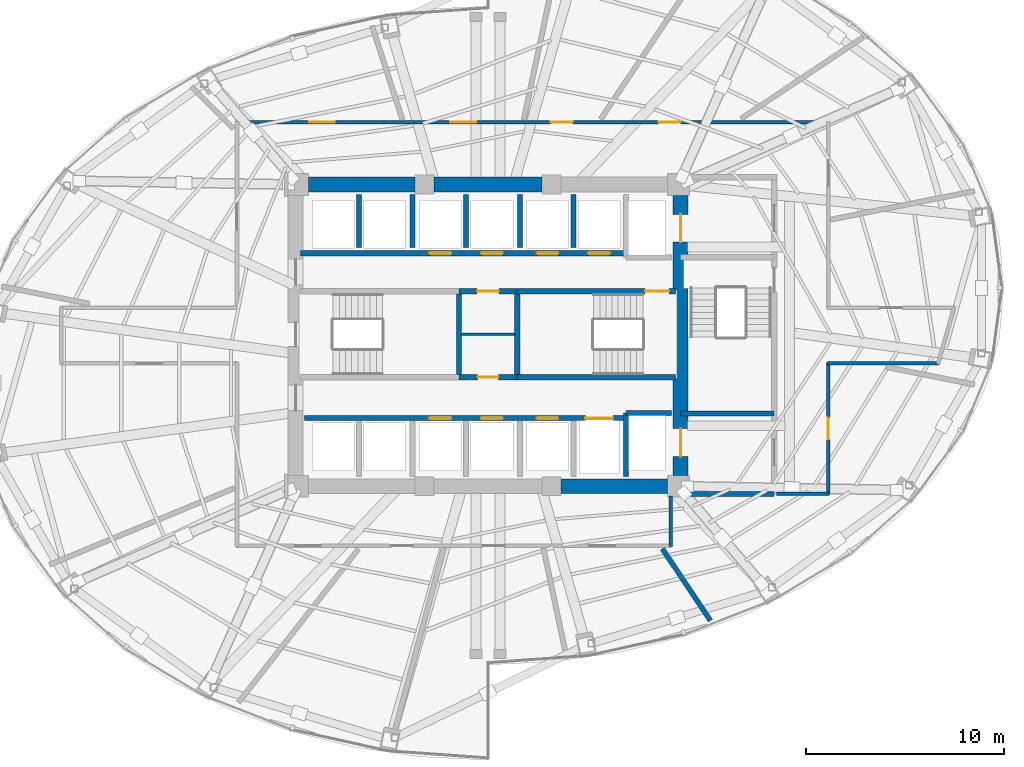
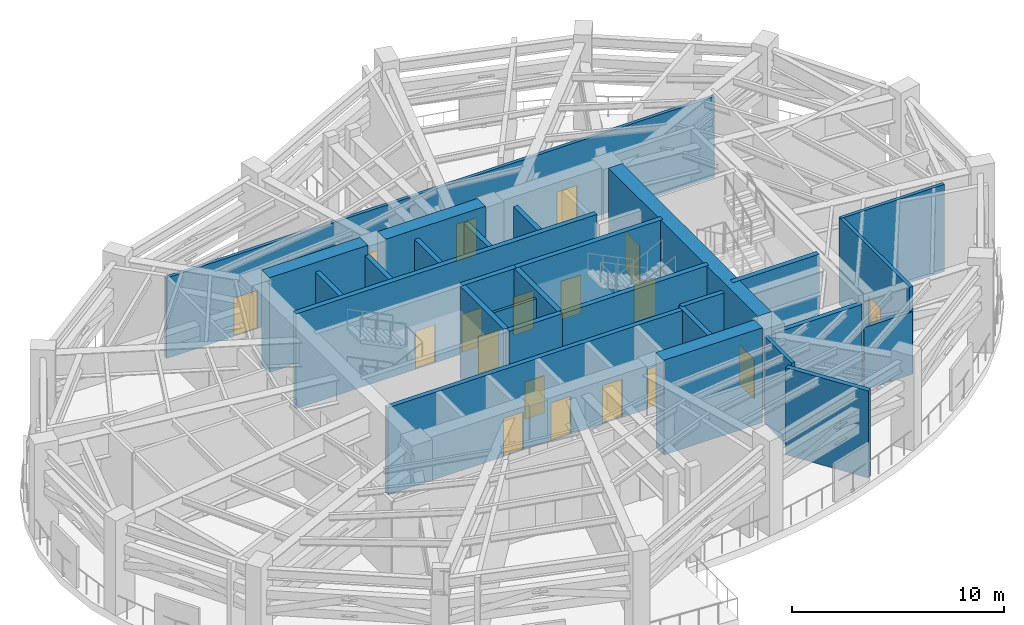
# One storey, part 8 of 12: 28 walls, 18 doors, 18 openings.
"""IFC4 building model written with IfcOpenShell, lengths in metres."""

from ifc_helpers import new_model, si_unit, direction, frame, frame_2d, origin, place, context, subcontext, project, spatial, rectangle, extrude, material, layer, layer_set, type_object, element, fill, save


model = new_model("IFC4")

# Units and contexts
model_context = context("Model", 3, precision=1e-05, world=origin(), true_north=direction((0.0, 1.0)))
body_context = subcontext(model_context, "Body", "Model", "MODEL_VIEW")
ifc_project = project(units=[si_unit("LENGTHUNIT", "METRE"), si_unit("AREAUNIT", "SQUARE_METRE"), si_unit("VOLUMEUNIT", "CUBIC_METRE"), si_unit("PLANEANGLEUNIT", "RADIAN"), si_unit("MASSUNIT", "GRAM", prefix="KILO")], contexts=[model_context])

# Site, building, storey
site_placement = place(None, origin())
site = spatial("IfcSite", under=ifc_project, at=site_placement, CompositionType="ELEMENT")
building_placement = place(site_placement, origin())
building = spatial("IfcBuilding", under=site, at=building_placement, Name="Lazwardi Medical Tower", CompositionType="ELEMENT")
storey_placement = place(building_placement, frame((0.0, 0.0, 132.81591796875)))
storey = spatial("IfcBuildingStorey", under=building, at=storey_placement, Name="L34", CompositionType="ELEMENT", Elevation=132.81591796875)

# Wall, openings, doors
ifc_material_1 = material(Name="Fire-rated gypsum board on steel stud", Category="steel")
ifc_layer_1 = layer(ifc_material_1, 0.179931640625)
ifc_layer_set_1 = layer_set([ifc_layer_1], Name="Fire-rated gypsum board on steel stud")
wall_type_1 = type_object("IfcWallType", Name="WL-COR-180", PredefinedType="PARTITIONING", material=ifc_layer_set_1)
wall_1_placement = place(storey_placement, frame((23.31005859375, 38.75, 0.0), z_axis=(0.0, 0.0, 1.0), x_axis=(1.0, 0.0, 0.0)))
wall_1 = element("IfcWall", 1, at=wall_1_placement, inside=storey, type_object=wall_type_1, Name="L34 Corridor partition 4", PredefinedType="PARTITIONING", context=body_context, shape_type="SweptSolid", body=[
    extrude(rectangle(XDim=29.8798828125, YDim=0.179931640625, at=frame_2d((14.93994140625, 0.0))), origin(), (0.0, 0.0, 1.0), 4.64697265625),
])
opening_1_placement = place(wall_1_placement, frame((21.289794921875, 0.0, 0.0)))
opening_1 = element("IfcOpeningElement", 2, at=opening_1_placement, cuts=wall_1, Name="Opening D-L34-015", PredefinedType="OPENING", context=body_context, shape_type="SweptSolid", body=[
    extrude(rectangle(XDim=1.10009765625, YDim=2.14990234375, at=frame_2d((0.550048828125, 1.074951171875))), frame((0.0, 0.099853515625, 0.0), z_axis=(0.0, -1.0, 0.0), x_axis=(1.0, 0.0, 0.0)), (0.0, 0.0, 1.0), 0.199951171875),
])
opening_2_placement = place(wall_1_placement, frame((15.851806640625, 0.0, 0.0)))
opening_2 = element("IfcOpeningElement", 3, at=opening_2_placement, cuts=wall_1, Name="Opening D-L34-016", PredefinedType="OPENING", context=body_context, shape_type="SweptSolid", body=[
    extrude(rectangle(XDim=1.10009765625, YDim=2.14990234375, at=frame_2d((0.550048828125, 1.074951171875))), frame((0.0, 0.099853515625, 0.0), z_axis=(0.0, -1.0, 0.0), x_axis=(1.0, 0.0, 0.0)), (0.0, 0.0, 1.0), 0.199951171875),
])
opening_3_placement = place(wall_1_placement, frame((10.78759765625, 0.0, 0.0)))
opening_3 = element("IfcOpeningElement", 4, at=opening_3_placement, cuts=wall_1, Name="Opening D-L34-017", PredefinedType="OPENING", context=body_context, shape_type="SweptSolid", body=[
    extrude(rectangle(XDim=1.300048828125, YDim=2.199951171875, at=frame_2d((0.64990234375, 1.10009765625))), frame((0.0, 0.099853515625, 0.0), z_axis=(0.0, -1.0, 0.0), x_axis=(1.0, 0.0, 0.0)), (0.0, 0.0, 1.0), 0.199951171875),
])
opening_4_placement = place(wall_1_placement, frame((3.673828125, 0.0, 0.0)))
opening_4 = element("IfcOpeningElement", 5, at=opening_4_placement, cuts=wall_1, Name="Opening D-L34-018", PredefinedType="OPENING", context=body_context, shape_type="SweptSolid", body=[
    extrude(rectangle(XDim=1.300048828125, YDim=2.199951171875, at=frame_2d((0.64990234375, 1.10009765625))), frame((0.0, 0.099853515625, 0.0), z_axis=(0.0, -1.0, 0.0), x_axis=(1.0, 0.0, 0.0)), (0.0, 0.0, 1.0), 0.199951171875),
])
ifc_material_2 = material(Name="Fire-rated steel leaf and frame", Category="steel")
door_type_1 = type_object("IfcDoorType", Name="DR-FFL-1300", OperationType="NOTDEFINED", PredefinedType="DOOR", material=ifc_material_2)
door_1_placement = place(opening_3_placement, origin())
door_1 = element("IfcDoor", 6, at=door_1_placement, inside=storey, type_object=door_type_1, Name="L34 Area of Refuge Door 11", OperationType="SINGLE_SWING_LEFT", OverallHeight=2.199951171875, OverallWidth=1.300048828125, PredefinedType="DOOR", context=body_context, shape_type="SweptSolid", body=[
    extrude(rectangle(XDim=1.300048828125, YDim=2.199951171875, at=frame_2d((0.64990234375, 1.10009765625))), frame((0.0, 0.02490234375, 0.0), z_axis=(0.0, -1.0, 0.0), x_axis=(1.0, 0.0, 0.0)), (0.0, 0.0, 1.0), 0.050048828125),
])
fill(opening_3, door_1)
door_2_placement = place(opening_4_placement, origin())
door_2 = element("IfcDoor", 7, at=door_2_placement, inside=storey, type_object=door_type_1, Name="L34 Area of Refuge Door 12", OperationType="SINGLE_SWING_RIGHT", OverallHeight=2.199951171875, OverallWidth=1.300048828125, PredefinedType="DOOR", context=body_context, shape_type="SweptSolid", body=[
    extrude(rectangle(XDim=1.300048828125, YDim=2.199951171875, at=frame_2d((0.64990234375, 1.10009765625))), frame((0.0, 0.02490234375, 0.0), z_axis=(0.0, -1.0, 0.0), x_axis=(1.0, 0.0, 0.0)), (0.0, 0.0, 1.0), 0.050048828125),
])
fill(opening_4, door_2)
door_type_2 = type_object("IfcDoorType", Name="DR-PLT-1100", OperationType="NOTDEFINED", PredefinedType="DOOR", material=ifc_material_2)
door_3_placement = place(opening_1_placement, origin())
door_3 = element("IfcDoor", 8, at=door_3_placement, inside=storey, type_object=door_type_2, Name="L34 Medical Gas Plant Room Door 09", OperationType="SINGLE_SWING_LEFT", OverallHeight=2.14990234375, OverallWidth=1.10009765625, PredefinedType="DOOR", context=body_context, shape_type="SweptSolid", body=[
    extrude(rectangle(XDim=1.10009765625, YDim=2.14990234375, at=frame_2d((0.550048828125, 1.074951171875))), frame((0.0, 0.02490234375, 0.0), z_axis=(0.0, -1.0, 0.0), x_axis=(1.0, 0.0, 0.0)), (0.0, 0.0, 1.0), 0.050048828125),
])
fill(opening_1, door_3)
door_4_placement = place(opening_2_placement, origin())
door_4 = element("IfcDoor", 9, at=door_4_placement, inside=storey, type_object=door_type_2, Name="L34 Water Tank Plant Room Door 10", OperationType="SINGLE_SWING_RIGHT", OverallHeight=2.14990234375, OverallWidth=1.10009765625, PredefinedType="DOOR", context=body_context, shape_type="SweptSolid", body=[
    extrude(rectangle(XDim=1.10009765625, YDim=2.14990234375, at=frame_2d((0.550048828125, 1.074951171875))), frame((0.0, 0.02490234375, 0.0), z_axis=(0.0, -1.0, 0.0), x_axis=(1.0, 0.0, 0.0)), (0.0, 0.0, 1.0), 0.050048828125),
])
fill(opening_2, door_4)

# Wall
wall_2_placement = place(storey_placement, frame((58.727294921875, 26.60009765625, 0.0), z_axis=(0.0, 0.0, 1.0), x_axis=(-1.0, 0.0, 0.0)))
element("IfcWall", 10, at=wall_2_placement, inside=storey, type_object=wall_type_1, Name="L34 Corridor partition 8", PredefinedType="PARTITIONING", context=body_context, shape_type="SweptSolid", body=[
    extrude(rectangle(XDim=5.6171875, YDim=0.179931640625, at=frame_2d((2.80859375, 0.0))), origin(), (0.0, 0.0, 1.0), 5.02197265625),
])

# Wall, opening, door
wall_3_placement = place(storey_placement, frame((53.14990234375, 26.639892578125, 0.0), z_axis=(0.0, 0.0, 1.0), x_axis=(0.0, -1.0, 0.0)))
wall_3 = element("IfcWall", 11, at=wall_3_placement, inside=storey, type_object=wall_type_1, Name="L34 Corridor partition 9", PredefinedType="PARTITIONING", context=body_context, shape_type="SweptSolid", body=[
    extrude(rectangle(XDim=6.659912109375, YDim=0.179931640625, at=frame_2d((3.330078125, 0.0))), origin(), (0.0, 0.0, 1.0), 5.02197265625),
])
opening_5_placement = place(wall_3_placement, frame((2.780029296875, 0.0, 0.0)))
opening_5 = element("IfcOpeningElement", 12, at=opening_5_placement, cuts=wall_3, Name="Opening D-L34-012", PredefinedType="OPENING", context=body_context, shape_type="SweptSolid", body=[
    extrude(rectangle(XDim=1.10009765625, YDim=2.14990234375, at=frame_2d((0.550048828125, 1.074951171875))), frame((0.0, 0.099853515625, 0.0), z_axis=(0.0, -1.0, 0.0), x_axis=(1.0, 0.0, 0.0)), (0.0, 0.0, 1.0), 0.199951171875),
])
door_5_placement = place(opening_5_placement, origin())
door_5 = element("IfcDoor", 13, at=door_5_placement, inside=storey, type_object=door_type_2, Name="L34 Pump Room Door 06", OperationType="SINGLE_SWING_RIGHT", OverallHeight=2.14990234375, OverallWidth=1.10009765625, PredefinedType="DOOR", context=body_context, shape_type="SweptSolid", body=[
    extrude(rectangle(XDim=1.10009765625, YDim=2.14990234375, at=frame_2d((0.550048828125, 1.074951171875))), frame((0.0, 0.02490234375, 0.0), z_axis=(0.0, -1.0, 0.0), x_axis=(1.0, 0.0, 0.0)), (0.0, 0.0, 1.0), 0.050048828125),
])
fill(opening_5, door_5)

# Walls
wall_4_placement = place(storey_placement, frame((53.18994140625, 20.02001953125, 0.0), z_axis=(0.0, 0.0, 1.0), x_axis=(-1.0, 0.0, 0.0)))
element("IfcWall", 14, at=wall_4_placement, inside=storey, type_object=wall_type_1, Name="L34 Corridor partition 10", PredefinedType="PARTITIONING", context=body_context, shape_type="SweptSolid", body=[
    extrude(rectangle(XDim=2.64990234375, YDim=0.179931640625, at=frame_2d((1.324951171875, 0.0))), origin(), (0.0, 0.0, 1.0), 3.607177734375),
])
wall_5_placement = place(storey_placement, frame((45.199951171875, 19.909912109375, 0.0), z_axis=(0.0, 0.0, 1.0), x_axis=(0.0, -1.0, 0.0)))
element("IfcWall", 15, at=wall_5_placement, inside=storey, type_object=wall_type_1, Name="L34 Corridor partition 13", PredefinedType="PARTITIONING", context=body_context, shape_type="SweptSolid", body=[
    extrude(rectangle(XDim=2.5498046875, YDim=0.179931640625, at=frame_2d((1.27490234375, 0.0))), origin(), (0.0, 0.0, 1.0), 5.02197265625),
])

# Wall, openings, doors
ifc_material_3 = material(Name="Concrete C70/85", Category="concrete")
ifc_layer_2 = layer(ifc_material_3, 0.75)
ifc_layer_set_2 = layer_set([ifc_layer_2], Name="Concrete C70/85")
wall_type_2 = type_object("IfcWallType", Name="WL-CORE-750", PredefinedType="SHEAR", material=ifc_layer_set_2)
wall_6_placement = place(storey_placement, frame((45.699951171875, 20.949951171875, 0.0), z_axis=(0.0, 0.0, 1.0), x_axis=(0.0, 1.0, 0.0)))
wall_6 = element("IfcWall", 16, at=wall_6_placement, inside=storey, type_object=wall_type_2, Name="Core wall CW-S2 east L34", PredefinedType="SHEAR", context=body_context, shape_type="SweptSolid", body=[
    extrude(rectangle(XDim=14.10009765625, YDim=0.75, at=frame_2d((7.050048828125, 0.0))), origin(), (0.0, 0.0, 1.0), 5.47216796875),
])
opening_6_placement = place(wall_6_placement, frame((11.75, 0.0, 0.0)))
opening_6 = element("IfcOpeningElement", 17, at=opening_6_placement, cuts=wall_6, Name="Opening LD-L34-001", PredefinedType="OPENING", context=body_context, shape_type="SweptSolid", body=[
    extrude(rectangle(XDim=1.39990234375, YDim=2.300048828125, at=frame_2d((0.699951171875, 1.14990234375))), frame((0.0, 0.385009765625, 0.0), z_axis=(0.0, -1.0, 0.0), x_axis=(1.0, 0.0, 0.0)), (0.0, 0.0, 1.0), 0.77001953125),
])
opening_7_placement = place(wall_6_placement, frame((0.949951171875, 0.0, 0.0)))
opening_7 = element("IfcOpeningElement", 18, at=opening_7_placement, cuts=wall_6, Name="Opening LD-L34-002", PredefinedType="OPENING", context=body_context, shape_type="SweptSolid", body=[
    extrude(rectangle(XDim=1.39990234375, YDim=2.300048828125, at=frame_2d((0.699951171875, 1.14990234375))), frame((0.0, 0.385009765625, 0.0), z_axis=(0.0, -1.0, 0.0), x_axis=(1.0, 0.0, 0.0)), (0.0, 0.0, 1.0), 0.77001953125),
])
ifc_material_4 = material(Name="Brushed stainless steel bed-lift landing door", Category="steel")
door_type_3 = type_object("IfcDoorType", Name="DR-LFT-1400", OperationType="NOTDEFINED", PredefinedType="DOOR", material=ifc_material_4)
door_6_placement = place(opening_6_placement, origin())
door_6 = element("IfcDoor", 19, at=door_6_placement, inside=storey, type_object=door_type_3, Name="L34 Lift Landing Door FL-01", OperationType="SLIDING_TO_LEFT", OverallHeight=2.300048828125, OverallWidth=1.39990234375, PredefinedType="DOOR", context=body_context, shape_type="SweptSolid", body=[
    extrude(rectangle(XDim=1.39990234375, YDim=2.300048828125, at=frame_2d((0.699951171875, 1.14990234375))), frame((0.0, 0.02490234375, 0.0), z_axis=(0.0, -1.0, 0.0), x_axis=(1.0, 0.0, 0.0)), (0.0, 0.0, 1.0), 0.050048828125),
])
fill(opening_6, door_6)
door_7_placement = place(opening_7_placement, origin())
door_7 = element("IfcDoor", 20, at=door_7_placement, inside=storey, type_object=door_type_3, Name="L34 Lift Landing Door FL-02", OperationType="SLIDING_TO_LEFT", OverallHeight=2.300048828125, OverallWidth=1.39990234375, PredefinedType="DOOR", context=body_context, shape_type="SweptSolid", body=[
    extrude(rectangle(XDim=1.39990234375, YDim=2.300048828125, at=frame_2d((0.699951171875, 1.14990234375))), frame((0.0, 0.02490234375, 0.0), z_axis=(0.0, -1.0, 0.0), x_axis=(1.0, 0.0, 0.0)), (0.0, 0.0, 1.0), 0.050048828125),
])
fill(opening_7, door_7)

# Walls
wall_7_placement = place(storey_placement, frame((26.949951171875, 35.60009765625, 0.0), z_axis=(0.0, 0.0, 1.0), x_axis=(1.0, 0.0, 0.0)))
element("IfcWall", 21, at=wall_7_placement, inside=storey, type_object=wall_type_2, Name="Core wall CW-S2 N1 L34", PredefinedType="SHEAR", context=body_context, shape_type="SweptSolid", body=[
    extrude(rectangle(XDim=5.375, YDim=0.75, at=frame_2d((2.6875, 0.0))), origin(), (0.0, 0.0, 1.0), 5.47216796875),
])
wall_8_placement = place(storey_placement, frame((33.27490234375, 35.60009765625, 0.0), z_axis=(0.0, 0.0, 1.0), x_axis=(1.0, 0.0, 0.0)))
element("IfcWall", 22, at=wall_8_placement, inside=storey, type_object=wall_type_2, Name="Core wall CW-S2 N2 L34", PredefinedType="SHEAR", context=body_context, shape_type="SweptSolid", body=[
    extrude(rectangle(XDim=5.4501953125, YDim=0.75, at=frame_2d((2.72509765625, 0.0))), origin(), (0.0, 0.0, 1.0), 5.47216796875),
])
wall_9_placement = place(storey_placement, frame((39.675048828125, 20.39990234375, 0.0), z_axis=(0.0, 0.0, 1.0), x_axis=(1.0, 0.0, 0.0)))
element("IfcWall", 23, at=wall_9_placement, inside=storey, type_object=wall_type_2, Name="Core wall CW-S2 S3 L34", PredefinedType="SHEAR", context=body_context, shape_type="SweptSolid", body=[
    extrude(rectangle(XDim=5.375, YDim=0.75, at=frame_2d((2.6875, 0.0))), origin(), (0.0, 0.0, 1.0), 5.47216796875),
])

# Wall, openings, doors
ifc_material_5 = material(Name="Autoclaved aerated concrete blockwork", Category="masonry")
ifc_layer_3 = layer(ifc_material_5, 0.25)
ifc_layer_set_3 = layer_set([ifc_layer_3], Name="Autoclaved aerated concrete blockwork")
wall_type_3 = type_object("IfcWallType", Name="WL-SHAFT-250", PredefinedType="SOLIDWALL", material=ifc_layer_set_3)
wall_10_placement = place(storey_placement, frame((26.75, 23.830078125, 0.0), z_axis=(0.0, 0.0, 1.0), x_axis=(1.0, 0.0, 0.0)))
wall_10 = element("IfcWall", 24, at=wall_10_placement, inside=storey, type_object=wall_type_3, Name="L34 South lift bank front wall", PredefinedType="SOLIDWALL", context=body_context, shape_type="SweptSolid", body=[
    extrude(rectangle(XDim=16.199951171875, YDim=0.25, at=frame_2d((8.10009765625, 0.0))), origin(), (0.0, 0.0, 1.0), 5.02197265625),
])
opening_8_placement = place(wall_10_placement, frame((6.300048828125, 0.0, 0.0)))
opening_8 = element("IfcOpeningElement", 25, at=opening_8_placement, cuts=wall_10, Name="Opening LD-L34-006", PredefinedType="OPENING", context=body_context, shape_type="SweptSolid", body=[
    extrude(rectangle(XDim=1.10009765625, YDim=2.199951171875, at=frame_2d((0.550048828125, 1.10009765625))), frame((0.0, 0.135009765625, 0.0), z_axis=(0.0, -1.0, 0.0), x_axis=(1.0, 0.0, 0.0)), (0.0, 0.0, 1.0), 0.27001953125),
])
opening_9_placement = place(wall_10_placement, frame((8.89990234375, 0.0, 0.0)))
opening_9 = element("IfcOpeningElement", 26, at=opening_9_placement, cuts=wall_10, Name="Opening LD-L34-007", PredefinedType="OPENING", context=body_context, shape_type="SweptSolid", body=[
    extrude(rectangle(XDim=1.10009765625, YDim=2.199951171875, at=frame_2d((0.550048828125, 1.10009765625))), frame((0.0, 0.135009765625, 0.0), z_axis=(0.0, -1.0, 0.0), x_axis=(1.0, 0.0, 0.0)), (0.0, 0.0, 1.0), 0.27001953125),
])
opening_10_placement = place(wall_10_placement, frame((11.699951171875, 0.0, 0.0)))
opening_10 = element("IfcOpeningElement", 27, at=opening_10_placement, cuts=wall_10, Name="Opening LD-L34-010", PredefinedType="OPENING", context=body_context, shape_type="SweptSolid", body=[
    extrude(rectangle(XDim=1.10009765625, YDim=2.199951171875, at=frame_2d((0.550048828125, 1.10009765625))), frame((0.0, 0.135009765625, 0.0), z_axis=(0.0, -1.0, 0.0), x_axis=(1.0, 0.0, 0.0)), (0.0, 0.0, 1.0), 0.27001953125),
])
opening_11_placement = place(wall_10_placement, frame((14.14990234375, 0.0, 0.0)))
opening_11 = element("IfcOpeningElement", 28, at=opening_11_placement, cuts=wall_10, Name="Opening LD-L34-003", PredefinedType="OPENING", context=body_context, shape_type="SweptSolid", body=[
    extrude(rectangle(XDim=1.39990234375, YDim=2.300048828125, at=frame_2d((0.699951171875, 1.14990234375))), frame((0.0, 0.135009765625, 0.0), z_axis=(0.0, -1.0, 0.0), x_axis=(1.0, 0.0, 0.0)), (0.0, 0.0, 1.0), 0.27001953125),
])
ifc_material_6 = material(Name="Brushed bronze stainless steel landing door", Category="steel")
door_type_4 = type_object("IfcDoorType", Name="DR-LFT-1100", OperationType="NOTDEFINED", PredefinedType="DOOR", material=ifc_material_6)
door_8_placement = place(opening_8_placement, origin())
door_8 = element("IfcDoor", 29, at=door_8_placement, inside=storey, type_object=door_type_4, Name="L34 Lift Landing Door PL-07", OperationType="SLIDING_TO_LEFT", OverallHeight=2.199951171875, OverallWidth=1.10009765625, PredefinedType="DOOR", context=body_context, shape_type="SweptSolid", body=[
    extrude(rectangle(XDim=1.10009765625, YDim=2.199951171875, at=frame_2d((0.550048828125, 1.10009765625))), frame((0.0, 0.02490234375, 0.0), z_axis=(0.0, -1.0, 0.0), x_axis=(1.0, 0.0, 0.0)), (0.0, 0.0, 1.0), 0.050048828125),
])
fill(opening_8, door_8)
door_9_placement = place(opening_9_placement, origin())
door_9 = element("IfcDoor", 30, at=door_9_placement, inside=storey, type_object=door_type_4, Name="L34 Lift Landing Door PL-08", OperationType="SLIDING_TO_LEFT", OverallHeight=2.199951171875, OverallWidth=1.10009765625, PredefinedType="DOOR", context=body_context, shape_type="SweptSolid", body=[
    extrude(rectangle(XDim=1.10009765625, YDim=2.199951171875, at=frame_2d((0.550048828125, 1.10009765625))), frame((0.0, 0.02490234375, 0.0), z_axis=(0.0, -1.0, 0.0), x_axis=(1.0, 0.0, 0.0)), (0.0, 0.0, 1.0), 0.050048828125),
])
fill(opening_9, door_9)
door_10_placement = place(opening_10_placement, origin())
door_10 = element("IfcDoor", 31, at=door_10_placement, inside=storey, type_object=door_type_4, Name="L34 Lift Landing Door PL-11", OperationType="SLIDING_TO_LEFT", OverallHeight=2.199951171875, OverallWidth=1.10009765625, PredefinedType="DOOR", context=body_context, shape_type="SweptSolid", body=[
    extrude(rectangle(XDim=1.10009765625, YDim=2.199951171875, at=frame_2d((0.550048828125, 1.10009765625))), frame((0.0, 0.02490234375, 0.0), z_axis=(0.0, -1.0, 0.0), x_axis=(1.0, 0.0, 0.0)), (0.0, 0.0, 1.0), 0.050048828125),
])
fill(opening_10, door_10)
door_11_placement = place(opening_11_placement, origin())
door_11 = element("IfcDoor", 32, at=door_11_placement, inside=storey, type_object=door_type_3, Name="L34 Lift Landing Door FL-03", OperationType="SLIDING_TO_LEFT", OverallHeight=2.300048828125, OverallWidth=1.39990234375, PredefinedType="DOOR", context=body_context, shape_type="SweptSolid", body=[
    extrude(rectangle(XDim=1.39990234375, YDim=2.300048828125, at=frame_2d((0.699951171875, 1.14990234375))), frame((0.0, 0.02490234375, 0.0), z_axis=(0.0, -1.0, 0.0), x_axis=(1.0, 0.0, 0.0)), (0.0, 0.0, 1.0), 0.050048828125),
])
fill(opening_11, door_11)

# Walls
wall_11_placement = place(storey_placement, frame((42.949951171875, 20.89990234375, 0.0), z_axis=(0.0, 0.0, 1.0), x_axis=(0.0, 1.0, 0.0)))
element("IfcWall", 33, at=wall_11_placement, inside=storey, type_object=wall_type_3, Name="L34 FL-02 West shaft wall", PredefinedType="SOLIDWALL", context=body_context, shape_type="SweptSolid", body=[
    extrude(rectangle(XDim=3.2001953125, YDim=0.25, at=frame_2d((1.60009765625, 0.0))), origin(), (0.0, 0.0, 1.0), 5.02197265625),
])
wall_12_placement = place(storey_placement, frame((42.949951171875, 24.10009765625, 0.0), z_axis=(0.0, 0.0, 1.0), x_axis=(1.0, 0.0, 0.0)))
element("IfcWall", 34, at=wall_12_placement, inside=storey, type_object=wall_type_3, Name="L34 FL-02 North shaft wall", PredefinedType="SOLIDWALL", context=body_context, shape_type="SweptSolid", body=[
    extrude(rectangle(XDim=2.300048828125, YDim=0.25, at=frame_2d((1.14990234375, 0.0))), origin(), (0.0, 0.0, 1.0), 5.02197265625),
])
for number, where, z_axis, x_axis, name in (
    (35, (29.5, 32.419921875, 0.0), (0.0, 0.0, 1.0), (0.0, 1.0, 0.0), "L34 North hoistway divider"),
    (36, (32.199951171875, 32.419921875, 0.0), (0.0, 0.0, 1.0), (0.0, 1.0, 0.0), "L34 North hoistway divider"),
    (37, (34.89990234375, 32.419921875, 0.0), (0.0, 0.0, 1.0), (0.0, 1.0, 0.0), "L34 North hoistway divider"),
    (38, (37.60009765625, 32.419921875, 0.0), (0.0, 0.0, 1.0), (0.0, 1.0, 0.0), "L34 North hoistway divider"),
    (39, (40.300048828125, 32.419921875, 0.0), (0.0, 0.0, 1.0), (0.0, 1.0, 0.0), "L34 North hoistway divider"),
):
    element("IfcWall", number, at=place(storey_placement, frame(where, z_axis=z_axis, x_axis=x_axis)), inside=storey, type_object=wall_type_3, Name=name, PredefinedType="SOLIDWALL", context=body_context, shape_type="SweptSolid", body=[
        extrude(rectangle(XDim=2.68017578125, YDim=0.25, at=frame_2d((1.340087890625, 0.0))), origin(), (0.0, 0.0, 1.0), 5.02197265625),
    ])
wall_13_placement = place(storey_placement, frame((45.699951171875, 20.02001953125, 0.0), z_axis=(0.0, 0.0, 1.0), x_axis=(1.0, 0.0, 0.0)))
element("IfcWall", 40, at=wall_13_placement, inside=storey, type_object=wall_type_3, Name="L34 FFL-S South wall", PredefinedType="SOLIDWALL", context=body_context, shape_type="SweptSolid", body=[
    extrude(rectangle(XDim=4.715087890625, YDim=0.25, at=frame_2d((2.357421875, 0.0))), origin(), (0.0, 0.0, 1.0), 5.02197265625),
])
wall_14_placement = place(storey_placement, frame((44.7841796875, 17.25341796875, 0.0), z_axis=(0.0, 0.0, 1.0), x_axis=(0.555553222681, -0.831480977996, 0.0)))
element("IfcWall", 41, at=wall_14_placement, inside=storey, type_object=wall_type_3, Name="L34 Room partition 2", PredefinedType="SOLIDWALL", context=body_context, shape_type="SweptSolid", body=[
    extrude(rectangle(XDim=4.357666015625, YDim=0.25, at=frame_2d((2.1787109375, 0.0))), origin(), (0.0, 0.0, 1.0), 5.02197265625),
])

# Wall, opening, door
ifc_material_7 = material(Name="Concrete C50/60", Category="concrete")
ifc_layer_4 = layer(ifc_material_7, 0.27001953125)
ifc_layer_set_4 = layer_set([ifc_layer_4], Name="Concrete C50/60")
wall_type_4 = type_object("IfcWallType", Name="WL-STR-250", PredefinedType="SHEAR", material=ifc_layer_set_4)
wall_15_placement = place(storey_placement, frame((34.534912109375, 30.235107421875, 0.0), z_axis=(0.0, 0.0, 1.0), x_axis=(1.0, 0.0, 0.0)))
wall_15 = element("IfcWall", 42, at=wall_15_placement, inside=storey, type_object=wall_type_4, Name="L34 Core service North shear wall SW-S1", PredefinedType="SHEAR", context=body_context, shape_type="SweptSolid", body=[
    extrude(rectangle(XDim=2.93017578125, YDim=0.27001953125, at=frame_2d((1.465087890625, 0.0))), origin(), (0.0, 0.0, 1.0), 5.47216796875),
])
opening_12_placement = place(wall_15_placement, frame((0.9150390625, 0.0, 0.0)))
opening_12 = element("IfcOpeningElement", 43, at=opening_12_placement, cuts=wall_15, Name="Opening D-L34-002", PredefinedType="OPENING", context=body_context, shape_type="SweptSolid", body=[
    extrude(rectangle(XDim=1.10009765625, YDim=2.14990234375, at=frame_2d((0.550048828125, 1.074951171875))), frame((0.0, 0.14501953125, 0.0), z_axis=(0.0, -1.0, 0.0), x_axis=(1.0, 0.0, 0.0)), (0.0, 0.0, 1.0), 0.2900390625),
])
door_12_placement = place(opening_12_placement, origin())
door_12 = element("IfcDoor", 44, at=door_12_placement, inside=storey, type_object=door_type_2, Name="L34 Electrical Room Door", OperationType="SINGLE_SWING_LEFT", OverallHeight=2.14990234375, OverallWidth=1.10009765625, PredefinedType="DOOR", context=body_context, shape_type="SweptSolid", body=[
    extrude(rectangle(XDim=1.10009765625, YDim=2.14990234375, at=frame_2d((0.550048828125, 1.074951171875))), frame((0.0, 0.02490234375, 0.0), z_axis=(0.0, -1.0, 0.0), x_axis=(1.0, 0.0, 0.0)), (0.0, 0.0, 1.0), 0.050048828125),
])
fill(opening_12, door_12)

wall_16_placement = place(storey_placement, frame((37.465087890625, 30.235107421875, 0.0), z_axis=(0.0, 0.0, 1.0), x_axis=(1.0, 0.0, 0.0)))
wall_16 = element("IfcWall", 45, at=wall_16_placement, inside=storey, type_object=wall_type_4, Name="L34 ST2 North shear shaft wall SW-S1", PredefinedType="SHEAR", context=body_context, shape_type="SweptSolid", body=[
    extrude(rectangle(XDim=7.98486328125, YDim=0.27001953125, at=frame_2d((3.992431640625, 0.0))), origin(), (0.0, 0.0, 1.0), 5.47216796875),
])
opening_13_placement = place(wall_16_placement, frame((6.455078125, 0.0, 0.0)))
opening_13 = element("IfcOpeningElement", 46, at=opening_13_placement, cuts=wall_16, Name="Opening D-L34-021", PredefinedType="OPENING", context=body_context, shape_type="SweptSolid", body=[
    extrude(rectangle(XDim=1.199951171875, YDim=2.14990234375, at=frame_2d((0.60009765625, 1.074951171875))), frame((0.0, 0.14501953125, 0.0), z_axis=(0.0, -1.0, 0.0), x_axis=(1.0, 0.0, 0.0)), (0.0, 0.0, 1.0), 0.2900390625),
])
door_type_5 = type_object("IfcDoorType", Name="DR-STR-1200", OperationType="NOTDEFINED", PredefinedType="DOOR", material=ifc_material_2)
door_13_placement = place(opening_13_placement, origin())
door_13 = element("IfcDoor", 47, at=door_13_placement, inside=storey, type_object=door_type_5, Name="L34 Exit Stair ST2 Door", OperationType="SINGLE_SWING_LEFT", OverallHeight=2.14990234375, OverallWidth=1.199951171875, PredefinedType="DOOR", context=body_context, shape_type="SweptSolid", body=[
    extrude(rectangle(XDim=1.199951171875, YDim=2.14990234375, at=frame_2d((0.60009765625, 1.074951171875))), frame((0.0, 0.02490234375, 0.0), z_axis=(0.0, -1.0, 0.0), x_axis=(1.0, 0.0, 0.0)), (0.0, 0.0, 1.0), 0.050048828125),
])
fill(opening_13, door_13)

wall_17_placement = place(storey_placement, frame((34.534912109375, 25.885009765625, 0.0), z_axis=(0.0, 0.0, 1.0), x_axis=(1.0, 0.0, 0.0)))
wall_17 = element("IfcWall", 48, at=wall_17_placement, inside=storey, type_object=wall_type_4, Name="L34 Core service South shear wall SW-S1", PredefinedType="SHEAR", context=body_context, shape_type="SweptSolid", body=[
    extrude(rectangle(XDim=2.93017578125, YDim=0.27001953125, at=frame_2d((1.465087890625, 0.0))), origin(), (0.0, 0.0, 1.0), 5.47216796875),
])
opening_14_placement = place(wall_17_placement, frame((0.93994140625, 0.0, 0.0)))
opening_14 = element("IfcOpeningElement", 49, at=opening_14_placement, cuts=wall_17, Name="Opening D-L34-001", PredefinedType="OPENING", context=body_context, shape_type="SweptSolid", body=[
    extrude(rectangle(XDim=1.050048828125, YDim=2.14990234375, at=frame_2d((0.52490234375, 1.074951171875))), frame((0.0, 0.14501953125, 0.0), z_axis=(0.0, -1.0, 0.0), x_axis=(1.0, 0.0, 0.0)), (0.0, 0.0, 1.0), 0.2900390625),
])
ifc_material_8 = material(Name="Anti-microbial laminate hospital leaf")
door_type_6 = type_object("IfcDoorType", Name="DR-CLN-1050", OperationType="NOTDEFINED", PredefinedType="DOOR", material=ifc_material_8)
door_14_placement = place(opening_14_placement, origin())
door_14 = element("IfcDoor", 50, at=door_14_placement, inside=storey, type_object=door_type_6, Name="L34 Dirty Sluice Door", OperationType="SINGLE_SWING_RIGHT", OverallHeight=2.14990234375, OverallWidth=1.050048828125, PredefinedType="DOOR", context=body_context, shape_type="SweptSolid", body=[
    extrude(rectangle(XDim=1.050048828125, YDim=2.14990234375, at=frame_2d((0.52490234375, 1.074951171875))), frame((0.0, 0.02490234375, 0.0), z_axis=(0.0, -1.0, 0.0), x_axis=(1.0, 0.0, 0.0)), (0.0, 0.0, 1.0), 0.050048828125),
])
fill(opening_14, door_14)

# Walls
wall_18_placement = place(storey_placement, frame((37.465087890625, 25.885009765625, 0.0), z_axis=(0.0, 0.0, 1.0), x_axis=(1.0, 0.0, 0.0)))
element("IfcWall", 51, at=wall_18_placement, inside=storey, type_object=wall_type_4, Name="L34 ST2 South shear shaft wall SW-S1", PredefinedType="SHEAR", context=body_context, shape_type="SweptSolid", body=[
    extrude(rectangle(XDim=7.98486328125, YDim=0.27001953125, at=frame_2d((3.992431640625, 0.0))), origin(), (0.0, 0.0, 1.0), 5.47216796875),
])
for number, where, z_axis, x_axis, name in (
    (52, (34.534912109375, 26.02001953125, 0.0), (0.0, 0.0, 1.0), (0.0, 1.0, 0.0), "L34 ST1 East shear shaft wall SW-S1"),
    (53, (37.465087890625, 26.02001953125, 0.0), (0.0, 0.0, 1.0), (0.0, 1.0, 0.0), "L34 ST2 West shear shaft wall SW-S1"),
):
    element("IfcWall", number, at=place(storey_placement, frame(where, z_axis=z_axis, x_axis=x_axis)), inside=storey, type_object=wall_type_4, Name=name, PredefinedType="SHEAR", context=body_context, shape_type="SweptSolid", body=[
        extrude(rectangle(XDim=4.080078125, YDim=0.27001953125, at=frame_2d((2.0400390625, 0.0))), origin(), (0.0, 0.0, 1.0), 5.47216796875),
    ])

# Wall, openings, doors
wall_19_placement = place(storey_placement, frame((26.550048828125, 32.14990234375, 0.0), z_axis=(0.0, 0.0, 1.0), x_axis=(1.0, 0.0, 0.0)))
wall_19 = element("IfcWall", 54, at=wall_19_placement, inside=storey, type_object=wall_type_4, Name="L34 North lift bank shear wall SW-S1", PredefinedType="SHEAR", context=body_context, shape_type="SweptSolid", body=[
    extrude(rectangle(XDim=16.39990234375, YDim=0.27001953125, at=frame_2d((8.199951171875, 0.0))), origin(), (0.0, 0.0, 1.0), 5.47216796875),
])
opening_15_placement = place(wall_19_placement, frame((6.5, 0.0, 0.0)))
opening_15 = element("IfcOpeningElement", 55, at=opening_15_placement, cuts=wall_19, Name="Opening LD-L34-004", PredefinedType="OPENING", context=body_context, shape_type="SweptSolid", body=[
    extrude(rectangle(XDim=1.10009765625, YDim=2.199951171875, at=frame_2d((0.550048828125, 1.10009765625))), frame((0.0, 0.14501953125, 0.0), z_axis=(0.0, -1.0, 0.0), x_axis=(1.0, 0.0, 0.0)), (0.0, 0.0, 1.0), 0.2900390625),
])
opening_16_placement = place(wall_19_placement, frame((9.10009765625, 0.0, 0.0)))
opening_16 = element("IfcOpeningElement", 56, at=opening_16_placement, cuts=wall_19, Name="Opening LD-L34-005", PredefinedType="OPENING", context=body_context, shape_type="SweptSolid", body=[
    extrude(rectangle(XDim=1.10009765625, YDim=2.199951171875, at=frame_2d((0.550048828125, 1.10009765625))), frame((0.0, 0.14501953125, 0.0), z_axis=(0.0, -1.0, 0.0), x_axis=(1.0, 0.0, 0.0)), (0.0, 0.0, 1.0), 0.2900390625),
])
opening_17_placement = place(wall_19_placement, frame((11.89990234375, 0.0, 0.0)))
opening_17 = element("IfcOpeningElement", 57, at=opening_17_placement, cuts=wall_19, Name="Opening LD-L34-008", PredefinedType="OPENING", context=body_context, shape_type="SweptSolid", body=[
    extrude(rectangle(XDim=1.10009765625, YDim=2.199951171875, at=frame_2d((0.550048828125, 1.10009765625))), frame((0.0, 0.14501953125, 0.0), z_axis=(0.0, -1.0, 0.0), x_axis=(1.0, 0.0, 0.0)), (0.0, 0.0, 1.0), 0.2900390625),
])
opening_18_placement = place(wall_19_placement, frame((14.5, 0.0, 0.0)))
opening_18 = element("IfcOpeningElement", 58, at=opening_18_placement, cuts=wall_19, Name="Opening LD-L34-009", PredefinedType="OPENING", context=body_context, shape_type="SweptSolid", body=[
    extrude(rectangle(XDim=1.10009765625, YDim=2.199951171875, at=frame_2d((0.550048828125, 1.10009765625))), frame((0.0, 0.14501953125, 0.0), z_axis=(0.0, -1.0, 0.0), x_axis=(1.0, 0.0, 0.0)), (0.0, 0.0, 1.0), 0.2900390625),
])
door_15_placement = place(opening_15_placement, origin())
door_15 = element("IfcDoor", 59, at=door_15_placement, inside=storey, type_object=door_type_4, Name="L34 Lift Landing Door PL-05", OperationType="SLIDING_TO_LEFT", OverallHeight=2.199951171875, OverallWidth=1.10009765625, PredefinedType="DOOR", context=body_context, shape_type="SweptSolid", body=[
    extrude(rectangle(XDim=1.10009765625, YDim=2.199951171875, at=frame_2d((0.550048828125, 1.10009765625))), frame((0.0, 0.02490234375, 0.0), z_axis=(0.0, -1.0, 0.0), x_axis=(1.0, 0.0, 0.0)), (0.0, 0.0, 1.0), 0.050048828125),
])
fill(opening_15, door_15)
door_16_placement = place(opening_16_placement, origin())
door_16 = element("IfcDoor", 60, at=door_16_placement, inside=storey, type_object=door_type_4, Name="L34 Lift Landing Door PL-06", OperationType="SLIDING_TO_LEFT", OverallHeight=2.199951171875, OverallWidth=1.10009765625, PredefinedType="DOOR", context=body_context, shape_type="SweptSolid", body=[
    extrude(rectangle(XDim=1.10009765625, YDim=2.199951171875, at=frame_2d((0.550048828125, 1.10009765625))), frame((0.0, 0.02490234375, 0.0), z_axis=(0.0, -1.0, 0.0), x_axis=(1.0, 0.0, 0.0)), (0.0, 0.0, 1.0), 0.050048828125),
])
fill(opening_16, door_16)
door_17_placement = place(opening_17_placement, origin())
door_17 = element("IfcDoor", 61, at=door_17_placement, inside=storey, type_object=door_type_4, Name="L34 Lift Landing Door PL-09", OperationType="SLIDING_TO_LEFT", OverallHeight=2.199951171875, OverallWidth=1.10009765625, PredefinedType="DOOR", context=body_context, shape_type="SweptSolid", body=[
    extrude(rectangle(XDim=1.10009765625, YDim=2.199951171875, at=frame_2d((0.550048828125, 1.10009765625))), frame((0.0, 0.02490234375, 0.0), z_axis=(0.0, -1.0, 0.0), x_axis=(1.0, 0.0, 0.0)), (0.0, 0.0, 1.0), 0.050048828125),
])
fill(opening_17, door_17)
door_18_placement = place(opening_18_placement, origin())
door_18 = element("IfcDoor", 62, at=door_18_placement, inside=storey, type_object=door_type_4, Name="L34 Lift Landing Door PL-10", OperationType="SLIDING_TO_LEFT", OverallHeight=2.199951171875, OverallWidth=1.10009765625, PredefinedType="DOOR", context=body_context, shape_type="SweptSolid", body=[
    extrude(rectangle(XDim=1.10009765625, YDim=2.199951171875, at=frame_2d((0.550048828125, 1.10009765625))), frame((0.0, 0.02490234375, 0.0), z_axis=(0.0, -1.0, 0.0), x_axis=(1.0, 0.0, 0.0)), (0.0, 0.0, 1.0), 0.050048828125),
])
fill(opening_18, door_18)

# Walls
wall_20_placement = place(storey_placement, frame((45.699951171875, 24.06494140625, 0.0), z_axis=(0.0, 0.0, 1.0), x_axis=(1.0, 0.0, 0.0)))
element("IfcWall", 63, at=wall_20_placement, inside=storey, type_object=wall_type_4, Name="L34 ST3 South shear shaft wall SW-S1", PredefinedType="SHEAR", context=body_context, shape_type="SweptSolid", body=[
    extrude(rectangle(XDim=4.715087890625, YDim=0.27001953125, at=frame_2d((2.357421875, 0.0))), origin(), (0.0, 0.0, 1.0), 5.47216796875),
])
ifc_material_9 = material(Name="Acoustic gypsum board partition")
ifc_layer_5 = layer(ifc_material_9, 0.14990234375)
ifc_layer_set_5 = layer_set([ifc_layer_5], Name="Acoustic gypsum board partition")
wall_type_5 = type_object("IfcWallType", Name="WL-WRD-150", PredefinedType="PARTITIONING", material=ifc_layer_set_5)
wall_21_placement = place(storey_placement, frame((34.64990234375, 28.06005859375, 0.0), z_axis=(0.0, 0.0, 1.0), x_axis=(1.0, 0.0, 0.0)))
element("IfcWall", 64, at=wall_21_placement, inside=storey, type_object=wall_type_5, Name="L34 Core service divider", PredefinedType="PARTITIONING", context=body_context, shape_type="SweptSolid", body=[
    extrude(rectangle(XDim=2.7001953125, YDim=0.14990234375, at=frame_2d((1.35009765625, 0.0))), origin(), (0.0, 0.0, 1.0), 5.02197265625),
])

save(model, "model.ifc")
